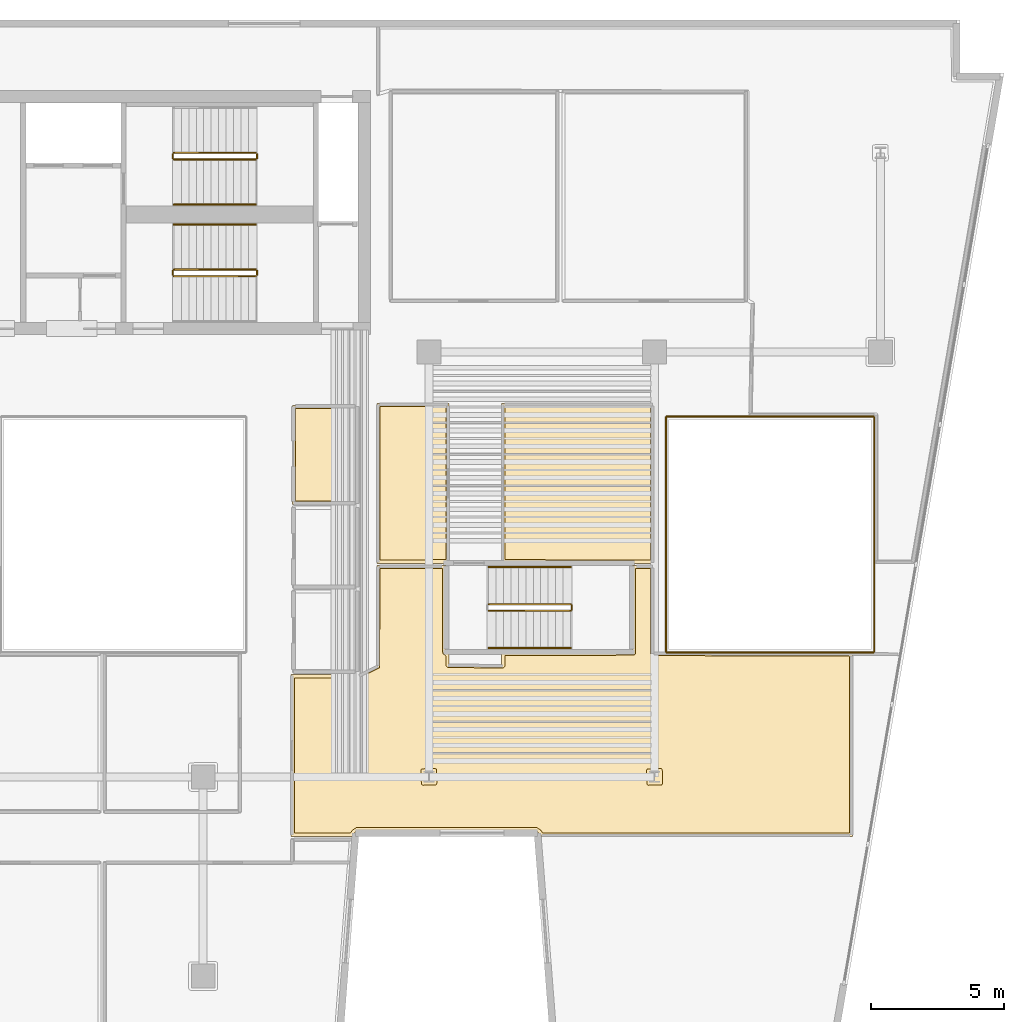
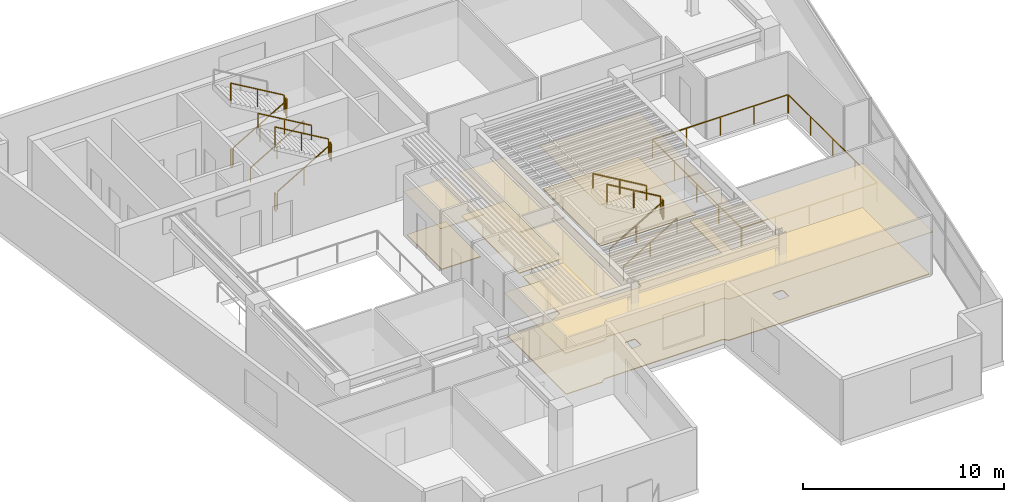
# One storey, part 8 of 9: 19 railings, 8 coverings.
"""IFC4 building model written with IfcOpenShell, lengths in metres."""

from ifc_helpers import new_model, si_unit, direction, frame, origin, origin_2d, place, context, subcontext, project, spatial, polyline, rectangle, outline, extrude, material, layer, layer_set, type_object, element, save


model = new_model("IFC4")

# Units and contexts
model_context = context("Model", 3, precision=1e-05, world=origin(), true_north=direction((0.0, 1.0)))
body_context = subcontext(model_context, "Body", "Model", "MODEL_VIEW")
ifc_project = project(units=[si_unit("LENGTHUNIT", "METRE"), si_unit("AREAUNIT", "SQUARE_METRE"), si_unit("VOLUMEUNIT", "CUBIC_METRE"), si_unit("PLANEANGLEUNIT", "RADIAN"), si_unit("MASSUNIT", "GRAM", prefix="KILO")], contexts=[model_context])

# Site, building, storey
site_placement = place(None, origin())
site = spatial("IfcSite", under=ifc_project, at=site_placement, CompositionType="ELEMENT")
building_placement = place(site_placement, origin())
building = spatial("IfcBuilding", under=site, at=building_placement, Name="Caeloran Harvest Quay", CompositionType="ELEMENT")
storey_placement = place(building_placement, frame((0.0, 0.0, 203.5)))
storey = spatial("IfcBuildingStorey", under=building, at=storey_placement, Name="L48", CompositionType="ELEMENT", Elevation=203.5)

# Coverings
ifc_material_1 = material(Name="Perforated Mineral-Fibre Acoustic Ceiling Tile", Category="ceiling")
ifc_layer_1 = layer(ifc_material_1, 0.0400390625, Name="Perforated Mineral-Fibre Acoustic Ceiling Tile")
ifc_layer_set_1 = layer_set([ifc_layer_1], Name="Perforated Mineral-Fibre Acoustic Ceiling Tile")
covering_type_1 = type_object("IfcCoveringType", Name="COV-CEILING-ACOUSTIC", PredefinedType="CEILING", material=ifc_layer_set_1)
covering_1_placement = place(storey_placement, frame((0.0, 0.0, 2.60009765625)))
element("IfcCovering", 1, at=covering_1_placement, inside=storey, type_object=covering_type_1, Name="L48 Male Washroom WC Acoustic Ceiling", PredefinedType="CEILING", context=body_context, shape_type="SweptSolid", body=[
    extrude(outline(polyline([(22.840087890625, 28.989990234375), (22.840087890625, 25.260009765625), (20.360107421875, 25.260009765625), (20.360107421875, 28.989990234375), (22.840087890625, 28.989990234375)])), origin(), (0.0, 0.0, 1.0), 0.039794921875),
])
covering_2_placement = place(storey_placement, frame((0.0, 0.0, 2.60009765625)))
element("IfcCovering", 2, at=covering_2_placement, inside=storey, type_object=covering_type_1, Name="Corporate Legal Counsel Office Acoustic Ceiling", PredefinedType="CEILING", context=body_context, shape_type="SweptSolid", body=[
    extrude(outline(polyline([(33.159912109375, 22.9599609375), (33.9599609375, 22.9599609375), (33.9599609375, 19.679931640625), (41.4599609375, 19.659912109375), (41.4599609375, 12.760009765625), (29.727294921875, 12.760009765625), (29.64111328125, 12.887451171875), (29.54150390625, 12.969970703125), (22.78515625, 12.969970703125), (22.685302734375, 12.887451171875), (22.59912109375, 12.760009765625), (20.31005859375, 12.760009765625), (20.31005859375, 18.85009765625), (22.87353515625, 18.85009765625), (23.5400390625, 19.184814453125), (23.5400390625, 22.9599609375), (26.139892578125, 22.9599609375), (26.139892578125, 19.69921875), (26.260009765625, 19.604248046875), (26.260009765625, 19.239501953125), (28.239990234375, 19.210693359375), (28.239990234375, 19.68994140625), (33.159912109375, 19.68994140625), (33.159912109375, 22.9599609375)])), origin(), (0.0, 0.0, 1.0), 0.039794921875),
])
covering_3_placement = place(storey_placement, frame((0.0, 0.0, 2.60009765625)))
element("IfcCovering", 3, at=covering_3_placement, inside=storey, type_object=covering_type_1, Name="Interview Meeting Room Acoustic Ceiling", PredefinedType="CEILING", context=body_context, shape_type="SweptSolid", body=[
    extrude(outline(polyline([(26.13720703125, 23.06005859375), (26.1298828125, 23.0400390625), (23.5400390625, 23.0400390625), (23.5400390625, 29.06005859375), (26.260009765625, 29.06005859375), (26.260009765625, 23.06005859375), (26.13720703125, 23.06005859375)])), origin(), (0.0, 0.0, 1.0), 0.039794921875),
])
covering_4_placement = place(storey_placement, frame((0.0, 0.0, 2.60009765625)))
element("IfcCovering", 4, at=covering_4_placement, inside=storey, type_object=covering_type_1, Name="Staff Tea Kitchen Acoustic Ceiling", PredefinedType="CEILING", context=body_context, shape_type="SweptSolid", body=[
    extrude(outline(polyline([(33.162841796875, 23.06005859375), (28.239990234375, 23.06005859375), (28.239990234375, 29.06005859375), (33.9599609375, 29.06005859375), (33.9599609375, 23.0400390625), (33.170166015625, 23.0400390625), (33.162841796875, 23.06005859375)])), origin(), (0.0, 0.0, 1.0), 0.039794921875),
])
ifc_material_2 = material(Name="Calcium-Sulphate Raised Access Floor and Terrazzo Finish", Category="flooring")
ifc_layer_2 = layer(ifc_material_2, 0.050048828125, Name="Calcium-Sulphate Raised Access Floor and Terrazzo Finish")
ifc_layer_set_2 = layer_set([ifc_layer_2], Name="Calcium-Sulphate Raised Access Floor and Terrazzo Finish")
covering_type_2 = type_object("IfcCoveringType", Name="COV-FLOOR-RAISED", PredefinedType="FLOORING", material=ifc_layer_set_2)
covering_5_placement = place(storey_placement, origin())
element("IfcCovering", 5, at=covering_5_placement, inside=storey, type_object=covering_type_2, Name="L48 Male Washroom WC Raised Finish Flooring", PredefinedType="FLOORING", context=body_context, shape_type="SweptSolid", body=[
    extrude(outline(polyline([(22.719970703125, 28.8701171875), (22.719970703125, 25.3798828125), (20.47998046875, 25.3798828125), (20.47998046875, 28.8701171875), (22.719970703125, 28.8701171875)])), origin(), (0.0, 0.0, 1.0), 0.050048828125),
])
covering_6_placement = place(storey_placement, origin())
element("IfcCovering", 6, at=covering_6_placement, inside=storey, type_object=covering_type_2, Name="Corporate Legal Counsel Office Raised Finish Flooring", PredefinedType="FLOORING", context=body_context, shape_type="SweptSolid", body=[
    extrude(outline(polyline([(22.54296875, 12.8798828125), (20.429931640625, 12.8798828125), (20.429931640625, 18.72998046875), (22.890380859375, 18.73046875), (23.64111328125, 19.1083984375), (23.659912109375, 22.840087890625), (26.02001953125, 22.840087890625), (26.02001953125, 19.679931640625), (26.038818359375, 19.62841796875), (26.139892578125, 19.54638671875), (26.1416015625, 19.1845703125), (26.203369140625, 19.12158203125), (28.294677734375, 19.09130859375), (28.359619140625, 19.162109375), (28.360107421875, 19.570068359375), (33.23779296875, 19.579345703125), (33.280029296875, 19.64990234375), (33.280029296875, 22.840087890625), (33.840087890625, 22.840087890625), (33.840087890625, 19.639892578125), (33.88916015625, 19.566162109375), (41.340087890625, 19.540283203125), (41.340087890625, 12.8798828125), (29.783447265625, 12.8798828125), (29.709716796875, 12.990478515625), (29.559326171875, 13.090087890625), (22.76708984375, 13.090087890625), (22.616943359375, 12.990478515625), (22.54296875, 12.8798828125)]), holes=[polyline([(34.302490234375, 14.754150390625), (34.284912109375, 15.288818359375), (34.230712890625, 15.317626953125), (33.726318359375, 15.2998046875), (33.697021484375, 15.238037109375), (33.715087890625, 14.711181640625), (33.777099609375, 14.681884765625), (34.273681640625, 14.7001953125), (34.302490234375, 14.754150390625)]), polyline([(25.802490234375, 14.754150390625), (25.784912109375, 15.288818359375), (25.730712890625, 15.317626953125), (25.226318359375, 15.2998046875), (25.197021484375, 15.238037109375), (25.215087890625, 14.711181640625), (25.277099609375, 14.681884765625), (25.773681640625, 14.7001953125), (25.802490234375, 14.754150390625)])]), origin(), (0.0, 0.0, 1.0), 0.050048828125),
])
covering_7_placement = place(storey_placement, origin())
element("IfcCovering", 7, at=covering_7_placement, inside=storey, type_object=covering_type_2, Name="Interview Meeting Room Raised Finish Flooring", PredefinedType="FLOORING", context=body_context, shape_type="SweptSolid", body=[
    extrude(outline(polyline([(26.139892578125, 23.179931640625), (23.659912109375, 23.159912109375), (23.659912109375, 28.93994140625), (26.139892578125, 28.93994140625), (26.139892578125, 23.179931640625)])), origin(), (0.0, 0.0, 1.0), 0.050048828125),
])
covering_8_placement = place(storey_placement, origin())
element("IfcCovering", 8, at=covering_8_placement, inside=storey, type_object=covering_type_2, Name="Staff Tea Kitchen Raised Finish Flooring", PredefinedType="FLOORING", context=body_context, shape_type="SweptSolid", body=[
    extrude(outline(polyline([(33.840087890625, 23.159912109375), (28.360107421875, 23.179931640625), (28.360107421875, 28.93994140625), (33.840087890625, 28.93994140625), (33.840087890625, 23.159912109375)])), origin(), (0.0, 0.0, 1.0), 0.050048828125),
])

# Railings
ifc_material_3 = material(Name="Powder-Coated Steel Post and Laminated Glass Guardrail", Category="steel")
ifc_layer_3 = layer(ifc_material_3, 0.06005859375, Name="Powder-Coated Steel Post and Laminated Glass Guardrail")
ifc_layer_set_3 = layer_set([ifc_layer_3], Name="Powder-Coated Steel Post and Laminated Glass Guardrail")
railing_type_1 = type_object("IfcRailingType", Name="GUARD-ATRIUM-1150", PredefinedType="GUARDRAIL", material=ifc_layer_set_3)
railing_1_placement = place(storey_placement, frame((34.4619140625, 19.679931640625, 0.0)))
element("IfcRailing", 9, at=railing_1_placement, inside=storey, type_object=railing_type_1, Name="L48 East Botanical Lightwell Guardrail Seg 1", PredefinedType="GUARDRAIL", context=body_context, shape_type="SweptSolid", body=[
    extrude(rectangle(XDim=0.048095703125, YDim=0.048095703125, at=origin_2d()), frame((0.0, 0.0, 1.1259765625), z_axis=(1.0, 0.0, 0.0), x_axis=(0.0, 1.0, 0.0)), (0.0, 0.0, 1.0), 7.776123046875),
    extrude(rectangle(XDim=0.0419921875, YDim=0.0419921875, at=origin_2d()), origin(), (0.0, 0.0, 1.0), 1.101806640625),
    extrude(rectangle(XDim=0.0419921875, YDim=0.0419921875, at=origin_2d()), frame((1.944091796875, 0.0, 0.0)), (0.0, 0.0, 1.0), 1.101806640625),
    extrude(rectangle(XDim=0.0419921875, YDim=0.0419921875, at=origin_2d()), frame((3.88818359375, 0.0, 0.0)), (0.0, 0.0, 1.0), 1.101806640625),
    extrude(rectangle(XDim=0.0419921875, YDim=0.0419921875, at=origin_2d()), frame((5.83203125, 0.0, 0.0)), (0.0, 0.0, 1.0), 1.101806640625),
    extrude(rectangle(XDim=0.0419921875, YDim=0.0419921875, at=origin_2d()), frame((7.776123046875, 0.0, 0.0)), (0.0, 0.0, 1.0), 1.101806640625),
])
railing_2_placement = place(storey_placement, frame((42.27001953125, 19.7119140625, 0.0)))
element("IfcRailing", 10, at=railing_2_placement, inside=storey, type_object=railing_type_1, Name="L48 East Botanical Lightwell Guardrail Seg 2", PredefinedType="GUARDRAIL", context=body_context, shape_type="SweptSolid", body=[
    extrude(rectangle(XDim=0.048095703125, YDim=0.048095703125, at=origin_2d()), frame((0.0, 0.0, 1.1259765625), z_axis=(0.0, 1.0, 0.0), x_axis=(-1.0, 0.0, 0.0)), (0.0, 0.0, 1.0), 8.826171875),
    extrude(rectangle(XDim=0.0419921875, YDim=0.0419921875, at=origin_2d()), origin(), (0.0, 0.0, 1.0), 1.101806640625),
    extrude(rectangle(XDim=0.0419921875, YDim=0.0419921875, at=origin_2d()), frame((0.0, 2.20654296875, 0.0)), (0.0, 0.0, 1.0), 1.101806640625),
    extrude(rectangle(XDim=0.0419921875, YDim=0.0419921875, at=origin_2d()), frame((0.0, 4.4130859375, 0.0)), (0.0, 0.0, 1.0), 1.101806640625),
    extrude(rectangle(XDim=0.0419921875, YDim=0.0419921875, at=origin_2d()), frame((0.0, 6.61962890625, 0.0)), (0.0, 0.0, 1.0), 1.101806640625),
    extrude(rectangle(XDim=0.0419921875, YDim=0.0419921875, at=origin_2d()), frame((0.0, 8.826171875, 0.0)), (0.0, 0.0, 1.0), 1.101806640625),
])
railing_3_placement = place(storey_placement, frame((42.238037109375, 28.570068359375, 0.0)))
element("IfcRailing", 11, at=railing_3_placement, inside=storey, type_object=railing_type_1, Name="L48 East Botanical Lightwell Guardrail Seg 3", PredefinedType="GUARDRAIL", context=body_context, shape_type="SweptSolid", body=[
    extrude(rectangle(XDim=0.048095703125, YDim=0.048095703125, at=origin_2d()), frame((0.0, 0.0, 1.1259765625), z_axis=(-1.0, 0.0, 0.0), x_axis=(0.0, -1.0, 0.0)), (0.0, 0.0, 1.0), 7.776123046875),
    extrude(rectangle(XDim=0.0419921875, YDim=0.0419921875, at=origin_2d()), origin(), (0.0, 0.0, 1.0), 1.101806640625),
    extrude(rectangle(XDim=0.0419921875, YDim=0.0419921875, at=origin_2d()), frame((-1.944091796875, 0.0, 0.0)), (0.0, 0.0, 1.0), 1.101806640625),
    extrude(rectangle(XDim=0.0419921875, YDim=0.0419921875, at=origin_2d()), frame((-3.88818359375, 0.0, 0.0)), (0.0, 0.0, 1.0), 1.101806640625),
    extrude(rectangle(XDim=0.0419921875, YDim=0.0419921875, at=origin_2d()), frame((-5.83203125, 0.0, 0.0)), (0.0, 0.0, 1.0), 1.101806640625),
    extrude(rectangle(XDim=0.0419921875, YDim=0.0419921875, at=origin_2d()), frame((-7.776123046875, 0.0, 0.0)), (0.0, 0.0, 1.0), 1.101806640625),
])
railing_4_placement = place(storey_placement, frame((34.429931640625, 28.5380859375, 0.0)))
element("IfcRailing", 12, at=railing_4_placement, inside=storey, type_object=railing_type_1, Name="L48 East Botanical Lightwell Guardrail Seg 4", PredefinedType="GUARDRAIL", context=body_context, shape_type="SweptSolid", body=[
    extrude(rectangle(XDim=0.048095703125, YDim=0.048095703125, at=origin_2d()), frame((0.0, 0.0, 1.1259765625), z_axis=(0.0, -1.0, 0.0), x_axis=(1.0, 0.0, 0.0)), (0.0, 0.0, 1.0), 8.826171875),
    extrude(rectangle(XDim=0.0419921875, YDim=0.0419921875, at=origin_2d()), origin(), (0.0, 0.0, 1.0), 1.101806640625),
    extrude(rectangle(XDim=0.0419921875, YDim=0.0419921875, at=origin_2d()), frame((0.0, -2.20654296875, 0.0)), (0.0, 0.0, 1.0), 1.101806640625),
    extrude(rectangle(XDim=0.0419921875, YDim=0.0419921875, at=origin_2d()), frame((0.0, -4.4130859375, 0.0)), (0.0, 0.0, 1.0), 1.101806640625),
    extrude(rectangle(XDim=0.0419921875, YDim=0.0419921875, at=origin_2d()), frame((0.0, -6.61962890625, 0.0)), (0.0, 0.0, 1.0), 1.101806640625),
    extrude(rectangle(XDim=0.0419921875, YDim=0.0419921875, at=origin_2d()), frame((0.0, -8.826171875, 0.0)), (0.0, 0.0, 1.0), 1.101806640625),
])
ifc_material_4 = material(Name="Painted Steel Baluster and Top-Rail Stair Guard", Category="steel")
ifc_layer_4 = layer(ifc_material_4, 0.050048828125, Name="Painted Steel Baluster and Top-Rail Stair Guard")
ifc_layer_set_4 = layer_set([ifc_layer_4], Name="Painted Steel Baluster and Top-Rail Stair Guard")
railing_type_2 = type_object("IfcRailingType", Name="STAIR-GUARD-1100", PredefinedType="GUARDRAIL", material=ifc_layer_set_4)
railing_5_placement = place(storey_placement, frame((15.89990234375, 38.25, 0.16455078125)))
element("IfcRailing", 13, at=railing_5_placement, inside=storey, type_object=railing_type_2, Name="L48 ST-C1 stair guard 1", PredefinedType="GUARDRAIL", context=body_context, shape_type="SweptSolid", body=[
    extrude(rectangle(XDim=0.048095703125, YDim=0.048095703125, at=origin_2d()), frame((0.0, 0.0, 1.076171875), z_axis=(0.862088758681, 0.0, 0.506757310905), x_axis=(0.0, 1.0, 0.0)), (0.0, 0.0, 1.0), 3.57275390625),
    extrude(rectangle(XDim=0.0419921875, YDim=0.0419921875, at=origin_2d()), origin(), (0.0, 0.0, 1.0), 1.052001953125),
    extrude(rectangle(XDim=0.0419921875, YDim=0.0419921875, at=origin_2d()), frame((1.5400390625, 0.0, 0.9052734375)), (0.0, 0.0, 1.0), 1.052001953125),
    extrude(rectangle(XDim=0.0419921875, YDim=0.0419921875, at=origin_2d()), frame((3.080078125, 0.0, 1.810546875)), (0.0, 0.0, 1.0), 1.052001953125),
])
railing_6_placement = place(storey_placement, frame((19.030029296875, 38.300048828125, 1.97509765625)))
element("IfcRailing", 14, at=railing_6_placement, inside=storey, type_object=railing_type_2, Name="L48 ST-C1 stair guard 2", PredefinedType="GUARDRAIL", context=body_context, shape_type="SweptSolid", body=[
    extrude(rectangle(XDim=0.048095703125, YDim=0.048095703125, at=origin_2d()), frame((0.0, 0.0, 1.076171875), z_axis=(0.0, 1.0, 0.0), x_axis=(-1.0, 0.0, 0.0)), (0.0, 0.0, 1.0), 0.14990234375),
    extrude(rectangle(XDim=0.0419921875, YDim=0.0419921875, at=origin_2d()), origin(), (0.0, 0.0, 1.0), 1.052001953125),
    extrude(rectangle(XDim=0.0419921875, YDim=0.0419921875, at=origin_2d()), frame((0.0, 0.14990234375, 0.0)), (0.0, 0.0, 1.0), 1.052001953125),
])
railing_7_placement = place(storey_placement, frame((18.97998046875, 38.5, 2.1396484375)))
element("IfcRailing", 15, at=railing_7_placement, inside=storey, type_object=railing_type_2, Name="L48 ST-C1 stair guard 3", PredefinedType="GUARDRAIL", context=body_context, shape_type="SweptSolid", body=[
    extrude(rectangle(XDim=0.048095703125, YDim=0.048095703125, at=origin_2d()), frame((0.0, 0.0, 1.076171875), z_axis=(-0.862118610829, 0.0, 0.506706523406), x_axis=(0.0, -1.0, 0.0)), (0.0, 0.0, 1.0), 3.57275390625),
    extrude(rectangle(XDim=0.0419921875, YDim=0.0419921875, at=origin_2d()), origin(), (0.0, 0.0, 1.0), 1.052001953125),
    extrude(rectangle(XDim=0.0419921875, YDim=0.0419921875, at=origin_2d()), frame((-1.5400390625, 0.0, 0.9052734375)), (0.0, 0.0, 1.0), 1.052001953125),
    extrude(rectangle(XDim=0.0419921875, YDim=0.0419921875, at=origin_2d()), frame((-3.080078125, 0.0, 1.810302734375)), (0.0, 0.0, 1.0), 1.052001953125),
])
railing_8_placement = place(storey_placement, frame((15.85009765625, 38.300048828125, 0.0)))
element("IfcRailing", 16, at=railing_8_placement, inside=storey, type_object=railing_type_2, Name="L48 ST-C1 stair guard 4", PredefinedType="GUARDRAIL", context=body_context, shape_type="SweptSolid", body=[
    extrude(rectangle(XDim=0.048095703125, YDim=0.048095703125, at=origin_2d()), frame((0.0, 0.0, 1.076171875), z_axis=(0.0, 1.0, 0.0), x_axis=(-1.0, 0.0, 0.0)), (0.0, 0.0, 1.0), 0.14990234375),
    extrude(rectangle(XDim=0.0419921875, YDim=0.0419921875, at=origin_2d()), origin(), (0.0, 0.0, 1.0), 1.052001953125),
    extrude(rectangle(XDim=0.0419921875, YDim=0.0419921875, at=origin_2d()), frame((0.0, 0.14990234375, 0.0)), (0.0, 0.0, 1.0), 1.052001953125),
])
railing_9_placement = place(storey_placement, frame((15.89990234375, 33.85009765625, 0.16455078125)))
element("IfcRailing", 17, at=railing_9_placement, inside=storey, type_object=railing_type_2, Name="L48 ST-C2 stair guard 1", PredefinedType="GUARDRAIL", context=body_context, shape_type="SweptSolid", body=[
    extrude(rectangle(XDim=0.048095703125, YDim=0.048095703125, at=origin_2d()), frame((0.0, 0.0, 1.076171875), z_axis=(0.862088758681, 0.0, 0.506757310905), x_axis=(0.0, 1.0, 0.0)), (0.0, 0.0, 1.0), 3.57275390625),
    extrude(rectangle(XDim=0.0419921875, YDim=0.0419921875, at=origin_2d()), origin(), (0.0, 0.0, 1.0), 1.052001953125),
    extrude(rectangle(XDim=0.0419921875, YDim=0.0419921875, at=origin_2d()), frame((1.5400390625, 0.0, 0.9052734375)), (0.0, 0.0, 1.0), 1.052001953125),
    extrude(rectangle(XDim=0.0419921875, YDim=0.0419921875, at=origin_2d()), frame((3.080078125, 0.0, 1.810546875)), (0.0, 0.0, 1.0), 1.052001953125),
])
railing_10_placement = place(storey_placement, frame((19.030029296875, 33.89990234375, 1.97509765625)))
element("IfcRailing", 18, at=railing_10_placement, inside=storey, type_object=railing_type_2, Name="L48 ST-C2 stair guard 2", PredefinedType="GUARDRAIL", context=body_context, shape_type="SweptSolid", body=[
    extrude(rectangle(XDim=0.048095703125, YDim=0.048095703125, at=origin_2d()), frame((0.0, 0.0, 1.076171875), z_axis=(0.0, 1.0, 0.0), x_axis=(-1.0, 0.0, 0.0)), (0.0, 0.0, 1.0), 0.150146484375),
    extrude(rectangle(XDim=0.0419921875, YDim=0.0419921875, at=origin_2d()), origin(), (0.0, 0.0, 1.0), 1.052001953125),
    extrude(rectangle(XDim=0.0419921875, YDim=0.0419921875, at=origin_2d()), frame((0.0, 0.150146484375, 0.0)), (0.0, 0.0, 1.0), 1.052001953125),
])
railing_11_placement = place(storey_placement, frame((18.97998046875, 34.10009765625, 2.1396484375)))
element("IfcRailing", 19, at=railing_11_placement, inside=storey, type_object=railing_type_2, Name="L48 ST-C2 stair guard 3", PredefinedType="GUARDRAIL", context=body_context, shape_type="SweptSolid", body=[
    extrude(rectangle(XDim=0.048095703125, YDim=0.048095703125, at=origin_2d()), frame((0.0, 0.0, 1.076171875), z_axis=(-0.862118610829, 0.0, 0.506706523406), x_axis=(0.0, -1.0, 0.0)), (0.0, 0.0, 1.0), 3.57275390625),
    extrude(rectangle(XDim=0.0419921875, YDim=0.0419921875, at=origin_2d()), origin(), (0.0, 0.0, 1.0), 1.052001953125),
    extrude(rectangle(XDim=0.0419921875, YDim=0.0419921875, at=origin_2d()), frame((-1.5400390625, 0.0, 0.9052734375)), (0.0, 0.0, 1.0), 1.052001953125),
    extrude(rectangle(XDim=0.0419921875, YDim=0.0419921875, at=origin_2d()), frame((-3.080078125, 0.0, 1.810302734375)), (0.0, 0.0, 1.0), 1.052001953125),
])
railing_12_placement = place(storey_placement, frame((15.85009765625, 33.89990234375, 0.0)))
element("IfcRailing", 20, at=railing_12_placement, inside=storey, type_object=railing_type_2, Name="L48 ST-C2 stair guard 4", PredefinedType="GUARDRAIL", context=body_context, shape_type="SweptSolid", body=[
    extrude(rectangle(XDim=0.048095703125, YDim=0.048095703125, at=origin_2d()), frame((0.0, 0.0, 1.076171875), z_axis=(0.0, 1.0, 0.0), x_axis=(-1.0, 0.0, 0.0)), (0.0, 0.0, 1.0), 0.150146484375),
    extrude(rectangle(XDim=0.0419921875, YDim=0.0419921875, at=origin_2d()), origin(), (0.0, 0.0, 1.0), 1.052001953125),
    extrude(rectangle(XDim=0.0419921875, YDim=0.0419921875, at=origin_2d()), frame((0.0, 0.150146484375, 0.0)), (0.0, 0.0, 1.0), 1.052001953125),
])
railing_13_placement = place(storey_placement, frame((27.75, 21.25, 0.16455078125)))
element("IfcRailing", 21, at=railing_13_placement, inside=storey, type_object=railing_type_2, Name="L48 ST-W1 stair guard 1", PredefinedType="GUARDRAIL", context=body_context, shape_type="SweptSolid", body=[
    extrude(rectangle(XDim=0.048095703125, YDim=0.048095703125, at=origin_2d()), frame((0.0, 0.0, 1.076171875), z_axis=(0.862088758681, 0.0, 0.506757310905), x_axis=(0.0, 1.0, 0.0)), (0.0, 0.0, 1.0), 3.57275390625),
    extrude(rectangle(XDim=0.0419921875, YDim=0.0419921875, at=origin_2d()), origin(), (0.0, 0.0, 1.0), 1.052001953125),
    extrude(rectangle(XDim=0.0419921875, YDim=0.0419921875, at=origin_2d()), frame((1.5400390625, 0.0, 0.9052734375)), (0.0, 0.0, 1.0), 1.052001953125),
    extrude(rectangle(XDim=0.0419921875, YDim=0.0419921875, at=origin_2d()), frame((3.080078125, 0.0, 1.810546875)), (0.0, 0.0, 1.0), 1.052001953125),
])
railing_14_placement = place(storey_placement, frame((30.8798828125, 21.300048828125, 1.97509765625)))
element("IfcRailing", 22, at=railing_14_placement, inside=storey, type_object=railing_type_2, Name="L48 ST-W1 stair guard 2", PredefinedType="GUARDRAIL", context=body_context, shape_type="SweptSolid", body=[
    extrude(rectangle(XDim=0.048095703125, YDim=0.048095703125, at=origin_2d()), frame((0.0, 0.0, 1.076171875), z_axis=(0.0, 1.0, 0.0), x_axis=(-1.0, 0.0, 0.0)), (0.0, 0.0, 1.0), 0.14990234375),
    extrude(rectangle(XDim=0.0419921875, YDim=0.0419921875, at=origin_2d()), origin(), (0.0, 0.0, 1.0), 1.052001953125),
    extrude(rectangle(XDim=0.0419921875, YDim=0.0419921875, at=origin_2d()), frame((0.0, 0.14990234375, 0.0)), (0.0, 0.0, 1.0), 1.052001953125),
])
railing_15_placement = place(storey_placement, frame((30.830078125, 21.5, 2.1396484375)))
element("IfcRailing", 23, at=railing_15_placement, inside=storey, type_object=railing_type_2, Name="L48 ST-W1 stair guard 3", PredefinedType="GUARDRAIL", context=body_context, shape_type="SweptSolid", body=[
    extrude(rectangle(XDim=0.048095703125, YDim=0.048095703125, at=origin_2d()), frame((0.0, 0.0, 1.076171875), z_axis=(-0.862118610829, 0.0, 0.506706523406), x_axis=(0.0, -1.0, 0.0)), (0.0, 0.0, 1.0), 3.57275390625),
    extrude(rectangle(XDim=0.0419921875, YDim=0.0419921875, at=origin_2d()), origin(), (0.0, 0.0, 1.0), 1.052001953125),
    extrude(rectangle(XDim=0.0419921875, YDim=0.0419921875, at=origin_2d()), frame((-1.5400390625, 0.0, 0.9052734375)), (0.0, 0.0, 1.0), 1.052001953125),
    extrude(rectangle(XDim=0.0419921875, YDim=0.0419921875, at=origin_2d()), frame((-3.080078125, 0.0, 1.810302734375)), (0.0, 0.0, 1.0), 1.052001953125),
])
ifc_material_5 = material(Name="Brushed Stainless Steel Grade 304", Category="steel")
ifc_layer_5 = layer(ifc_material_5, 0.050048828125, Name="Brushed Stainless Steel Grade 304")
ifc_layer_set_5 = layer_set([ifc_layer_5], Name="Brushed Stainless Steel Grade 304")
railing_type_3 = type_object("IfcRailingType", Name="STAIR-HANDRAIL-900", PredefinedType="HANDRAIL", material=ifc_layer_set_5)
railing_16_placement = place(storey_placement, frame((15.89990234375, 36.550048828125, 0.16455078125)))
element("IfcRailing", 24, at=railing_16_placement, inside=storey, type_object=railing_type_3, Name="L48 ST-C1 stair handrail 1", PredefinedType="HANDRAIL", context=body_context, shape_type="SweptSolid", body=[
    extrude(rectangle(XDim=0.048095703125, YDim=0.048095703125, at=origin_2d()), frame((0.0, 0.0, 0.8759765625), z_axis=(0.862088758681, 0.0, 0.506757310905), x_axis=(0.0, 1.0, 0.0)), (0.0, 0.0, 1.0), 3.57275390625),
    extrude(rectangle(XDim=0.0419921875, YDim=0.0419921875, at=origin_2d()), origin(), (0.0, 0.0, 1.0), 0.851806640625),
    extrude(rectangle(XDim=0.0419921875, YDim=0.0419921875, at=origin_2d()), frame((1.5400390625, 0.0, 0.9052734375)), (0.0, 0.0, 1.0), 0.851806640625),
    extrude(rectangle(XDim=0.0419921875, YDim=0.0419921875, at=origin_2d()), frame((3.080078125, 0.0, 1.810546875)), (0.0, 0.0, 1.0), 0.851806640625),
])
railing_17_placement = place(storey_placement, frame((18.97998046875, 35.800048828125, 2.1396484375)))
element("IfcRailing", 25, at=railing_17_placement, inside=storey, type_object=railing_type_3, Name="L48 ST-C2 stair handrail 2", PredefinedType="HANDRAIL", context=body_context, shape_type="SweptSolid", body=[
    extrude(rectangle(XDim=0.048095703125, YDim=0.048095703125, at=origin_2d()), frame((0.0, 0.0, 0.8759765625), z_axis=(-0.862118610829, 0.0, 0.506706523406), x_axis=(0.0, -1.0, 0.0)), (0.0, 0.0, 1.0), 3.57275390625),
    extrude(rectangle(XDim=0.0419921875, YDim=0.0419921875, at=origin_2d()), origin(), (0.0, 0.0, 1.0), 0.851806640625),
    extrude(rectangle(XDim=0.0419921875, YDim=0.0419921875, at=origin_2d()), frame((-1.5400390625, 0.0, 0.9052734375)), (0.0, 0.0, 1.0), 0.851806640625),
    extrude(rectangle(XDim=0.0419921875, YDim=0.0419921875, at=origin_2d()), frame((-3.080078125, 0.0, 1.810302734375)), (0.0, 0.0, 1.0), 0.851806640625),
])
railing_18_placement = place(storey_placement, frame((27.75, 19.85009765625, 0.16455078125)))
element("IfcRailing", 26, at=railing_18_placement, inside=storey, type_object=railing_type_3, Name="L48 ST-W1 stair handrail 1", PredefinedType="HANDRAIL", context=body_context, shape_type="SweptSolid", body=[
    extrude(rectangle(XDim=0.048095703125, YDim=0.048095703125, at=origin_2d()), frame((0.0, 0.0, 0.8759765625), z_axis=(0.862088758681, 0.0, 0.506757310905), x_axis=(0.0, 1.0, 0.0)), (0.0, 0.0, 1.0), 3.57275390625),
    extrude(rectangle(XDim=0.0419921875, YDim=0.0419921875, at=origin_2d()), origin(), (0.0, 0.0, 1.0), 0.851806640625),
    extrude(rectangle(XDim=0.0419921875, YDim=0.0419921875, at=origin_2d()), frame((1.5400390625, 0.0, 0.9052734375)), (0.0, 0.0, 1.0), 0.851806640625),
    extrude(rectangle(XDim=0.0419921875, YDim=0.0419921875, at=origin_2d()), frame((3.080078125, 0.0, 1.810546875)), (0.0, 0.0, 1.0), 0.851806640625),
])
railing_19_placement = place(storey_placement, frame((30.830078125, 22.89990234375, 2.1396484375)))
element("IfcRailing", 27, at=railing_19_placement, inside=storey, type_object=railing_type_3, Name="L48 ST-W1 stair handrail 2", PredefinedType="HANDRAIL", context=body_context, shape_type="SweptSolid", body=[
    extrude(rectangle(XDim=0.048095703125, YDim=0.048095703125, at=origin_2d()), frame((0.0, 0.0, 0.8759765625), z_axis=(-0.862118610829, 0.0, 0.506706523406), x_axis=(0.0, -1.0, 0.0)), (0.0, 0.0, 1.0), 3.57275390625),
    extrude(rectangle(XDim=0.0419921875, YDim=0.0419921875, at=origin_2d()), origin(), (0.0, 0.0, 1.0), 0.851806640625),
    extrude(rectangle(XDim=0.0419921875, YDim=0.0419921875, at=origin_2d()), frame((-1.5400390625, 0.0, 0.9052734375)), (0.0, 0.0, 1.0), 0.851806640625),
    extrude(rectangle(XDim=0.0419921875, YDim=0.0419921875, at=origin_2d()), frame((-3.080078125, 0.0, 1.810302734375)), (0.0, 0.0, 1.0), 0.851806640625),
])

save(model, "model.ifc")
